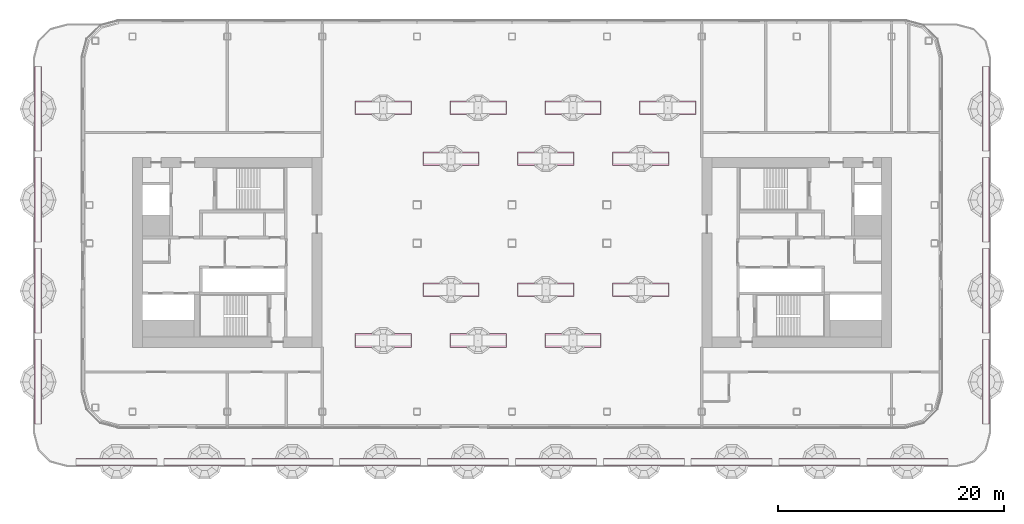
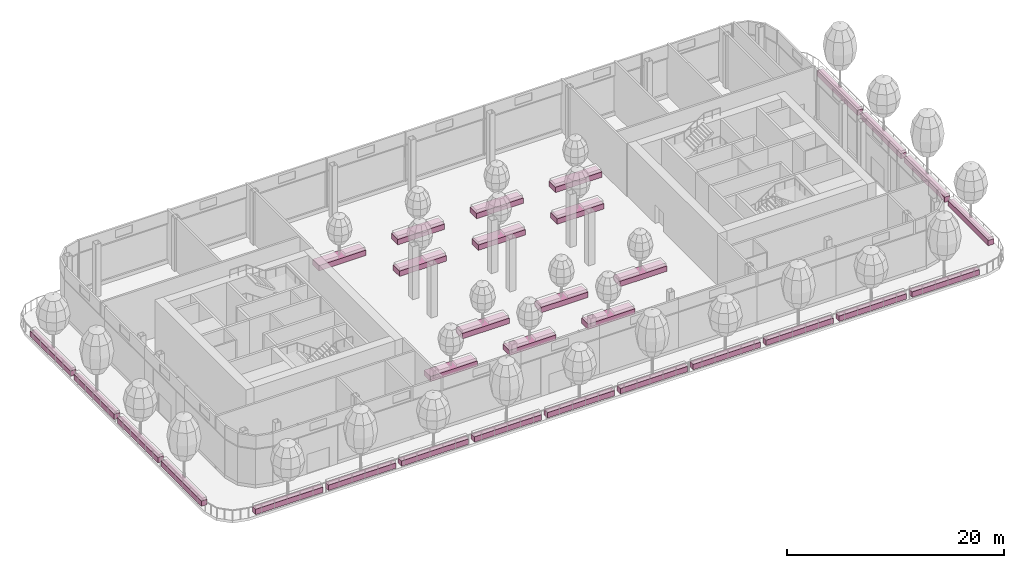
# One storey, part 34 of 41: 31 furniture elements.
"""IFC4 building model written with IfcOpenShell, lengths in metres."""

from ifc_helpers import new_model, si_unit, direction, frame, origin, origin_2d, place, context, subcontext, project, spatial, rectangle, extrude, material, type_object, element, save


model = new_model("IFC4")

# Units and contexts
model_context = context("Model", 3, precision=1e-05, world=origin(), true_north=direction((0.0, 1.0)))
body_context = subcontext(model_context, "Body", "Model", "MODEL_VIEW")
ifc_project = project(units=[si_unit("LENGTHUNIT", "METRE"), si_unit("AREAUNIT", "SQUARE_METRE"), si_unit("VOLUMEUNIT", "CUBIC_METRE"), si_unit("PLANEANGLEUNIT", "RADIAN"), si_unit("MASSUNIT", "GRAM", prefix="KILO")], contexts=[model_context])

# Site, building, storey
site_placement = place(None, origin())
site = spatial("IfcSite", under=ifc_project, at=site_placement, CompositionType="ELEMENT")
building_placement = place(site_placement, origin())
building = spatial("IfcBuilding", under=site, at=building_placement, Name="Hakoniwa Tower and Hamabe Station Hall", CompositionType="ELEMENT")
storey_placement = place(building_placement, frame((0.0, 0.0, 180.199951171875)))
storey = spatial("IfcBuildingStorey", under=building, at=storey_placement, Name="L51", CompositionType="ELEMENT", Elevation=180.199951171875)

# Furniture
ifc_material_1 = material(Name="Aluminium 6063-T5 black anodised trough with lightweight soil", Category="aluminium")
furniture_type_1 = type_object("IfcFurnitureType", Name="Planter 1200x600", AssemblyPlace="SITE", PredefinedType="USERDEFINED", material=ifc_material_1)
for number, where, z_axis, x_axis, name in (
    (1, (-5.39990234375, 8.300048828125, 0.0), (0.0, 0.0, 1.0), (1.0, 0.0, 0.0), "Planter 1200x600"),
    (2, (3.0, 8.300048828125, 0.0), (0.0, 0.0, 1.0), (1.0, 0.0, 0.0), "Planter 1200x600"),
    (3, (11.39990234375, 8.300048828125, 0.0), (0.0, 0.0, 1.0), (1.0, 0.0, 0.0), "Planter 1200x600"),
    (4, (-11.39990234375, 12.800048828125, 0.0), (0.0, 0.0, 1.0), (1.0, 0.0, 0.0), "Planter 1200x600"),
    (5, (-3.0, 12.800048828125, 0.0), (0.0, 0.0, 1.0), (1.0, 0.0, 0.0), "Planter 1200x600"),
    (6, (5.39990234375, 12.800048828125, 0.0), (0.0, 0.0, 1.0), (1.0, 0.0, 0.0), "Planter 1200x600"),
    (7, (13.800048828125, 12.800048828125, 0.0), (0.0, 0.0, 1.0), (1.0, 0.0, 0.0), "Planter 1200x600"),
    (8, (-5.39990234375, -3.300048828125, 0.0), (0.0, 0.0, 1.0), (1.0, 0.0, 0.0), "Planter 1200x600"),
    (9, (3.0, -3.300048828125, 0.0), (0.0, 0.0, 1.0), (1.0, 0.0, 0.0), "Planter 1200x600"),
    (10, (11.39990234375, -3.300048828125, 0.0), (0.0, 0.0, 1.0), (1.0, 0.0, 0.0), "Planter 1200x600"),
    (11, (-11.39990234375, -7.800048828125, 0.0), (0.0, 0.0, 1.0), (1.0, 0.0, 0.0), "Planter 1200x600"),
    (12, (-3.0, -7.800048828125, 0.0), (0.0, 0.0, 1.0), (1.0, 0.0, 0.0), "Planter 1200x600"),
    (13, (5.39990234375, -7.800048828125, 0.0), (0.0, 0.0, 1.0), (1.0, 0.0, 0.0), "Planter 1200x600"),
):
    element("IfcFurniture", number, at=place(storey_placement, frame(where, z_axis=z_axis, x_axis=x_axis)), inside=storey, type_object=furniture_type_1, Name=name, ObjectType="PLANTER", PredefinedType="USERDEFINED", context=body_context, shape_type="SweptSolid", body=[
        extrude(rectangle(XDim=5.0, YDim=1.199951171875, at=origin_2d()), origin(), (0.0, 0.0, 1.0), 0.60009765625),
    ])
ifc_material_2 = material(Name="Aluminium 6063-T5 black anodised trough with lightweight soil", Category="aluminium")
furniture_type_2 = type_object("IfcFurnitureType", Name="Planter 600x600", AssemblyPlace="SITE", PredefinedType="USERDEFINED", material=ifc_material_2)
for number, where, z_axis, x_axis, name in (
    (14, (-41.950927734375, 12.708984375, 0.0), (0.0, 0.0, 1.0), (-4.5691e-07, -1.0, 0.0), "Planter 600x600"),
    (15, (-41.950927734375, 4.653076171875, 0.0), (0.0, 0.0, 1.0), (-4.5691e-07, -1.0, 0.0), "Planter 600x600"),
    (16, (-41.950927734375, -3.40283203125, 0.0), (0.0, 0.0, 1.0), (-4.5691e-07, -1.0, 0.0), "Planter 600x600"),
    (17, (-41.950927734375, -11.458740234375, 0.0), (0.0, 0.0, 1.0), (-4.5691e-07, -1.0, 0.0), "Planter 600x600"),
):
    element("IfcFurniture", number, at=place(storey_placement, frame(where, z_axis=z_axis, x_axis=x_axis)), inside=storey, type_object=furniture_type_2, Name=name, ObjectType="PLANTER", PredefinedType="USERDEFINED", context=body_context, shape_type="SweptSolid", body=[
        extrude(rectangle(XDim=7.4560546875, YDim=0.60009765625, at=origin_2d()), origin(), (0.0, 0.0, 1.0), 0.60009765625),
    ])
for number, where, z_axis, x_axis, name in (
    (18, (-34.998046875, -18.551025390625, 0.0), (0.0, 0.0, 1.0), (1.0, 0.0, 0.0), "Planter 600x600"),
    (19, (-27.220703125, -18.551025390625, 0.0), (0.0, 0.0, 1.0), (1.0, 0.0, 0.0), "Planter 600x600"),
    (20, (-19.443359375, -18.551025390625, 0.0), (0.0, 0.0, 1.0), (1.0, 0.0, 0.0), "Planter 600x600"),
    (21, (-11.666015625, -18.551025390625, 0.0), (0.0, 0.0, 1.0), (1.0, 0.0, 0.0), "Planter 600x600"),
    (22, (-3.888671875, -18.551025390625, 0.0), (0.0, 0.0, 1.0), (1.0, 0.0, 0.0), "Planter 600x600"),
    (23, (3.888671875, -18.551025390625, 0.0), (0.0, 0.0, 1.0), (1.0, 0.0, 0.0), "Planter 600x600"),
    (24, (11.666015625, -18.551025390625, 0.0), (0.0, 0.0, 1.0), (1.0, 0.0, 0.0), "Planter 600x600"),
    (25, (19.443359375, -18.551025390625, 0.0), (0.0, 0.0, 1.0), (1.0, 0.0, 0.0), "Planter 600x600"),
    (26, (27.220703125, -18.551025390625, 0.0), (0.0, 0.0, 1.0), (1.0, 0.0, 0.0), "Planter 600x600"),
    (27, (34.998046875, -18.551025390625, 0.0), (0.0, 0.0, 1.0), (1.0, 0.0, 0.0), "Planter 600x600"),
):
    element("IfcFurniture", number, at=place(storey_placement, frame(where, z_axis=z_axis, x_axis=x_axis)), inside=storey, type_object=furniture_type_2, Name=name, ObjectType="PLANTER", PredefinedType="USERDEFINED", context=body_context, shape_type="SweptSolid", body=[
        extrude(rectangle(XDim=7.17724609375, YDim=0.60009765625, at=origin_2d()), origin(), (0.0, 0.0, 1.0), 0.60009765625),
    ])
for number, where, z_axis, x_axis, name in (
    (28, (41.950927734375, -11.458984375, 0.0), (0.0, 0.0, 1.0), (0.0, 1.0, 0.0), "Planter 600x600"),
    (29, (41.950927734375, -3.403076171875, 0.0), (0.0, 0.0, 1.0), (0.0, 1.0, 0.0), "Planter 600x600"),
    (30, (41.950927734375, 4.653076171875, 0.0), (0.0, 0.0, 1.0), (0.0, 1.0, 0.0), "Planter 600x600"),
    (31, (41.950927734375, 12.708984375, 0.0), (0.0, 0.0, 1.0), (0.0, 1.0, 0.0), "Planter 600x600"),
):
    element("IfcFurniture", number, at=place(storey_placement, frame(where, z_axis=z_axis, x_axis=x_axis)), inside=storey, type_object=furniture_type_2, Name=name, ObjectType="PLANTER", PredefinedType="USERDEFINED", context=body_context, shape_type="SweptSolid", body=[
        extrude(rectangle(XDim=7.455810546875, YDim=0.60009765625, at=origin_2d()), origin(), (0.0, 0.0, 1.0), 0.60009765625),
    ])

save(model, "model.ifc")
